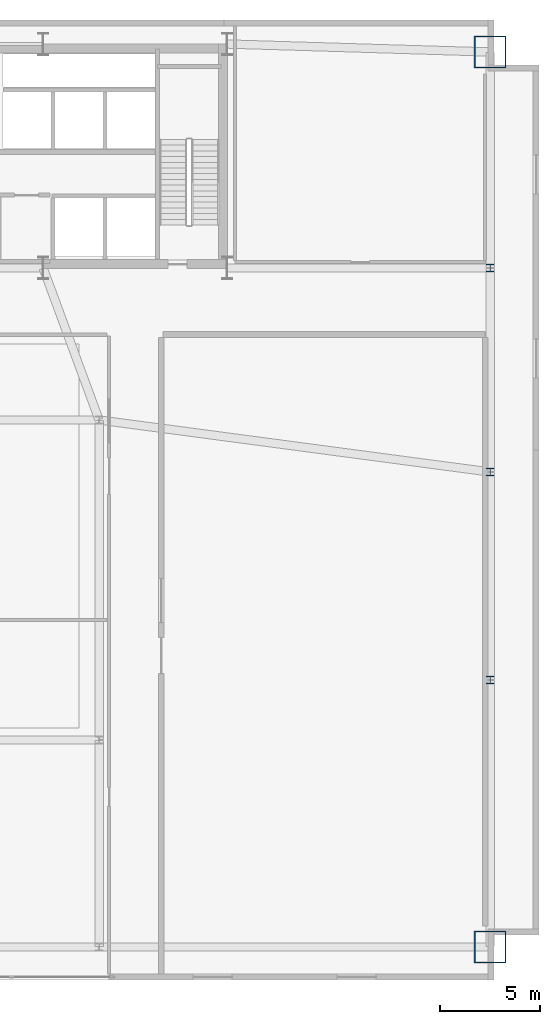
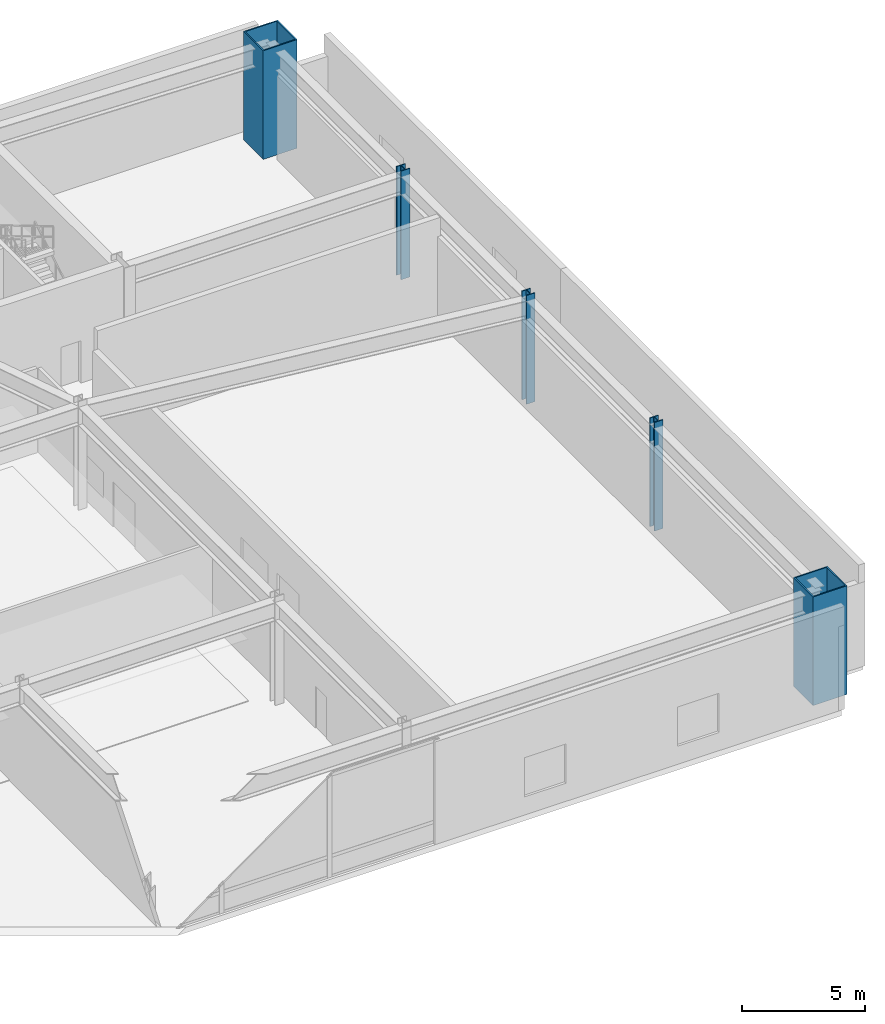
# One storey, part 2 of 12: 5 columns.
"""IFC4 building model written with IfcOpenShell, lengths in metres."""

from ifc_helpers import new_model, si_unit, direction, frame, origin, origin_2d, place, context, subcontext, project, spatial, hollow_rectangle, i_section, extrude, source, transform, mapped, material, material_profile, profile_set, type_object, type_shapes, element, save


model = new_model("IFC4")

# Units and contexts
model_context = context("Model", 3, precision=1e-05, world=origin(), true_north=direction((0.0, 1.0)))
body_context = subcontext(model_context, "Body", "Model", "MODEL_VIEW")
ifc_project = project(units=[si_unit("LENGTHUNIT", "METRE"), si_unit("AREAUNIT", "SQUARE_METRE"), si_unit("VOLUMEUNIT", "CUBIC_METRE"), si_unit("PLANEANGLEUNIT", "RADIAN"), si_unit("MASSUNIT", "GRAM", prefix="KILO")], contexts=[model_context])

# Site, building, storey
site_placement = place(None, origin())
site = spatial("IfcSite", under=ifc_project, at=site_placement, CompositionType="ELEMENT")
building_placement = place(site_placement, origin())
building = spatial("IfcBuilding", under=site, at=building_placement, Name="Varnel Quay Broadcast Tower", CompositionType="ELEMENT")
storey_placement = place(building_placement, frame((0.0, 0.0, 11.39990234375)))
storey = spatial("IfcBuildingStorey", under=building, at=storey_placement, Name="L02", CompositionType="ELEMENT", Elevation=11.39990234375)

# Columns
ifc_material_1 = material(Name="Structural Steel CSA G40.21 350WT", Category="steel")
ifc_material_profile_1 = material_profile(ifc_material_1, hollow_rectangle(XDim=1.60009765625, YDim=1.60009765625, WallThickness=0.06005859375, at=origin_2d()), Name="BOX1600X1600X60")
ifc_profile_set_1 = profile_set([ifc_material_profile_1], Name="Structural Steel CSA G40.21 350WT")
column_type_1 = type_object("IfcColumnType", Name="Col_BOX1600X1600X60", PredefinedType="COLUMN", material=ifc_profile_set_1)
shared_shape_1 = source(origin(), body_context, "Body", "SweptSolid", [
    extrude(hollow_rectangle(XDim=1.60009765625, YDim=1.60009765625, WallThickness=0.06005859375, at=origin_2d()), origin(), (0.0, 0.0, 1.0), 5.400146484375),
])
type_shapes(column_type_1, [shared_shape_1])
for number, where, z_axis, x_axis, name in (
    (1, (65.550048828125, 1.64990234375, 0.0), (0.0, 0.0, 1.0), (1.0, 0.0, 0.0), "L02 Column MC-SE"),
    (2, (65.550048828125, 46.39990234375, 0.0), (0.0, 0.0, 1.0), (1.0, 0.0, 0.0), "L02 Column MC-NE"),
):
    element("IfcColumn", number, at=place(storey_placement, frame(where, z_axis=z_axis, x_axis=x_axis)), inside=storey, type_object=column_type_1, Name=name, PredefinedType="COLUMN", context=body_context, shape_type="MappedRepresentation", body=[
        mapped(shared_shape_1, transform((0.0, 0.0, 0.0), x_axis=(1.0, 0.0, 0.0), y_axis=(0.0, 1.0, 0.0), z_axis=(0.0, 0.0, 1.0), scale=1.0)),
    ])
ifc_material_2 = material(Name="Structural Steel CSA G40.21 350W", Category="steel")
ifc_material_profile_2 = material_profile(ifc_material_2, i_section(OverallWidth=0.404052734375, OverallDepth=0.406982421875, WebThickness=0.027099609375, FlangeThickness=0.043701171875, FilletRadius=0.01806640625, at=origin_2d()), Name="W360X347")
ifc_profile_set_2 = profile_set([ifc_material_profile_2], Name="Structural Steel CSA G40.21 350W")
column_type_2 = type_object("IfcColumnType", Name="Col_W360X347", PredefinedType="COLUMN", material=ifc_profile_set_2)
shared_shape_2 = source(origin(), body_context, "Body", "SweptSolid", [
    extrude(i_section(OverallWidth=0.404052734375, OverallDepth=0.406982421875, WebThickness=0.027099609375, FlangeThickness=0.043701171875, FilletRadius=0.01806640625, at=origin_2d()), origin(), (0.0, 0.0, 1.0), 5.400146484375),
])
type_shapes(column_type_2, [shared_shape_2])
for number, where, z_axis, x_axis, name in (
    (3, (65.550048828125, 15.0, 0.0), (0.0, 0.0, 1.0), (1.0, 0.0, 0.0), "L02 Column PC-12"),
    (4, (65.550048828125, 25.39990234375, 0.0), (0.0, 0.0, 1.0), (1.0, 0.0, 0.0), "L02 Column PC-13"),
    (5, (65.550048828125, 35.60009765625, 0.0), (0.0, 0.0, 1.0), (1.0, 0.0, 0.0), "L02 Column PC-14"),
):
    element("IfcColumn", number, at=place(storey_placement, frame(where, z_axis=z_axis, x_axis=x_axis)), inside=storey, type_object=column_type_2, Name=name, PredefinedType="COLUMN", context=body_context, shape_type="MappedRepresentation", body=[
        mapped(shared_shape_2, transform((0.0, 0.0, 0.0), x_axis=(1.0, 0.0, 0.0), y_axis=(0.0, 1.0, 0.0), z_axis=(0.0, 0.0, 1.0), scale=1.0)),
    ])

save(model, "model.ifc")
